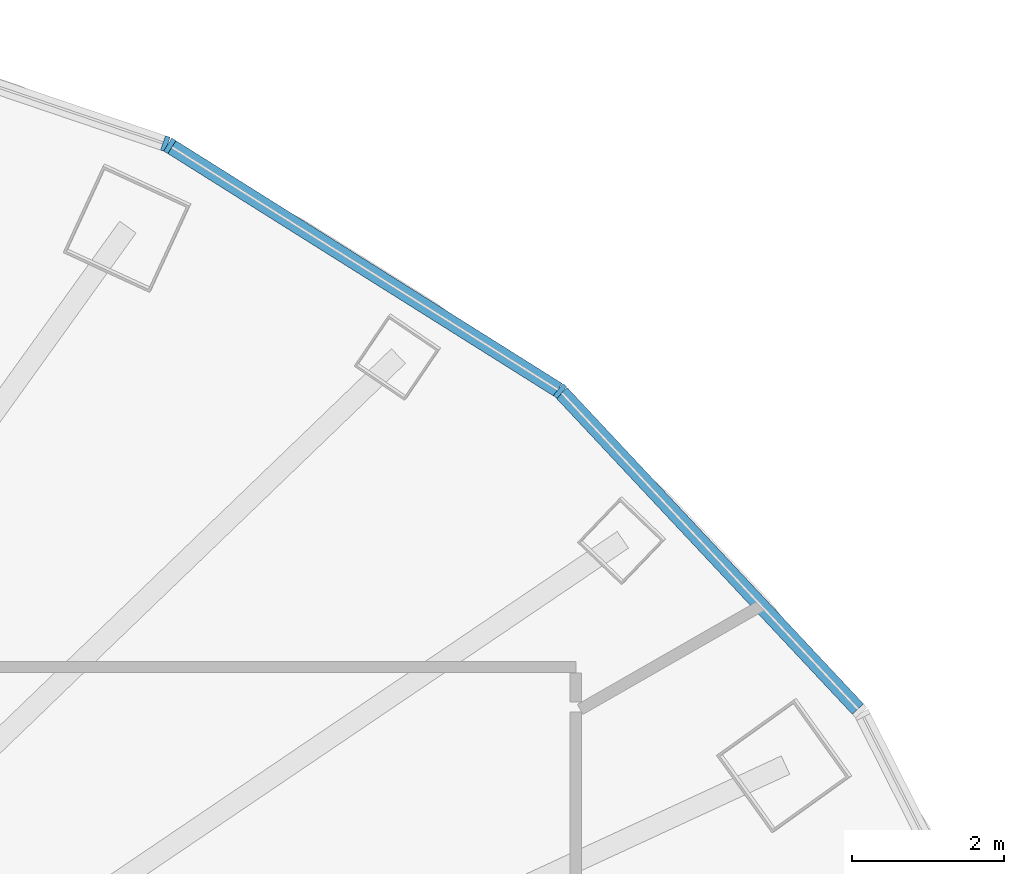
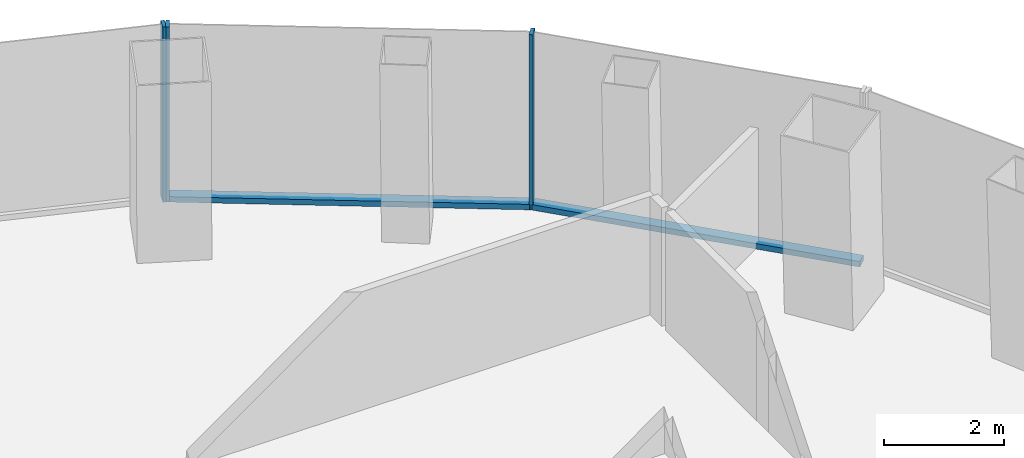
# One storey, part 6 of 12: 5 members, 2 elements without a shape of their own.
"""IFC4 building model written with IfcOpenShell, lengths in metres."""

from ifc_helpers import new_model, si_unit, direction, frame, origin, origin_2d, place, context, subcontext, project, spatial, rectangle, extrude, material, layer, layer_set, material_profile, profile_set, type_object, element, aggregate, save


model = new_model("IFC4")

# Units and contexts
model_context = context("Model", 3, precision=1e-05, world=origin(), true_north=direction((0.0, 1.0)))
body_context = subcontext(model_context, "Body", "Model", "MODEL_VIEW")
ifc_project = project(units=[si_unit("LENGTHUNIT", "METRE"), si_unit("AREAUNIT", "SQUARE_METRE"), si_unit("VOLUMEUNIT", "CUBIC_METRE"), si_unit("PLANEANGLEUNIT", "RADIAN"), si_unit("MASSUNIT", "GRAM", prefix="KILO")], contexts=[model_context])

# Site, building, storey
site_placement = place(None, origin())
site = spatial("IfcSite", under=ifc_project, at=site_placement, CompositionType="ELEMENT")
building_placement = place(site_placement, origin())
building = spatial("IfcBuilding", under=site, at=building_placement, Name="Siaravel Broadcast Tower", CompositionType="ELEMENT")
storey_placement = place(building_placement, frame((0.0, 0.0, 137.800048828125)))
storey = spatial("IfcBuildingStorey", under=building, at=storey_placement, Name="L33", CompositionType="ELEMENT", Elevation=137.800048828125)

# Curtain wall, members
ifc_material = material(Name="Aluminium 6063-T6", Category="aluminium")
ifc_layer = layer(ifc_material, 0.199951171875)
ifc_layer_set = layer_set([ifc_layer], Name="Aluminium 6063-T6")
curtain_wall_type = type_object("IfcCurtainWallType", Name="Unitised curtain wall, zone 2", PredefinedType="NOTDEFINED", material=ifc_layer_set)
curtain_wall_1_placement = place(storey_placement, origin())
curtain_wall_1 = element("IfcCurtainWall", 1, at=curtain_wall_1_placement, inside=storey, type_object=curtain_wall_type, Name="L33 Unitised curtain wall, zone 2 02", PredefinedType="NOTDEFINED")
ifc_material_profile_1 = material_profile(ifc_material, rectangle(XDim=0.199951171875, YDim=0.06494140625, at=origin_2d()))
ifc_profile_set_1 = profile_set([ifc_material_profile_1], Name="Aluminium 6063-T6")
member_type_1 = type_object("IfcMemberType", Name="CW-Z2 mullion", PredefinedType="MULLION", material=ifc_profile_set_1)
member_1_placement = place(storey_placement, frame((17.593994140625, 14.42431640625, 0.0), z_axis=(0.0, 0.0, 1.0), x_axis=(-0.63622045, -0.771507317, 0.0)))
member_1 = element("IfcMember", 2, at=member_1_placement, type_object=member_type_1, Name="CW-Z2 mullion 2", PredefinedType="MULLION", context=body_context, shape_type="SweptSolid", body=[
    extrude(rectangle(XDim=0.199951171875, YDim=0.06494140625, at=origin_2d()), origin(), (0.0, 0.0, 1.0), 3.550048828125),
])
member_2_placement = place(storey_placement, frame((12.46728515625, 17.646484375, 0.0), z_axis=(0.0, 0.0, 1.0), x_axis=(-0.532151141, -0.846649374, 0.0)))
member_2 = element("IfcMember", 3, at=member_2_placement, type_object=member_type_1, Name="CW-Z2 mullion 3", PredefinedType="MULLION", context=body_context, shape_type="SweptSolid", body=[
    extrude(rectangle(XDim=0.199951171875, YDim=0.06494140625, at=origin_2d()), origin(), (0.0, 0.0, 1.0), 3.550048828125),
])

# Curtain wall, member
curtain_wall_2_placement = place(storey_placement, origin())
curtain_wall_2 = element("IfcCurtainWall", 4, at=curtain_wall_2_placement, inside=storey, type_object=curtain_wall_type, Name="L33 Unitised curtain wall, zone 2 03", PredefinedType="NOTDEFINED")
member_3_placement = place(storey_placement, frame((12.408935546875, 17.67431640625, 0.0), z_axis=(0.0, 0.0, 1.0), x_axis=(-0.321302097, -0.946976749, 0.0)))
member_3 = element("IfcMember", 5, at=member_3_placement, type_object=member_type_1, Name="CW-Z2 mullion 1", PredefinedType="MULLION", context=body_context, shape_type="SweptSolid", body=[
    extrude(rectangle(XDim=0.199951171875, YDim=0.06494140625, at=origin_2d()), origin(), (0.0, 0.0, 1.0), 3.550048828125),
])
aggregate(curtain_wall_2, [member_3])

# Member
ifc_material_profile_2 = material_profile(ifc_material, rectangle(XDim=0.199951171875, YDim=0.110107421875, at=origin_2d()))
ifc_profile_set_2 = profile_set([ifc_material_profile_2], Name="Aluminium 6063-T6")
member_type_2 = type_object("IfcMemberType", Name="CW-Z2 transom", PredefinedType="USERDEFINED", material=ifc_profile_set_2)
member_4_placement = place(storey_placement, frame((21.505859375, 10.248291015625, 0.054931640625), z_axis=(-0.683644181, 0.72981548, 0.0), x_axis=(-0.72981548, -0.683644181, 0.0)))
member_4 = element("IfcMember", 6, at=member_4_placement, type_object=member_type_2, Name="CW-Z2 transom 1", ObjectType="TRANSOM", PredefinedType="USERDEFINED", context=body_context, shape_type="SweptSolid", body=[
    extrude(rectangle(XDim=0.199951171875, YDim=0.110107421875, at=origin_2d()), origin(), (0.0, 0.0, 1.0), 5.689697265625),
])

member_5_placement = place(storey_placement, frame((17.56640625, 14.441650390625, 0.054931640625), z_axis=(-0.84664232, 0.532162364, 0.0), x_axis=(-0.532162364, -0.84664232, 0.0)))
member_5 = element("IfcMember", 7, at=member_5_placement, type_object=member_type_2, Name="CW-Z2 transom 2", ObjectType="TRANSOM", PredefinedType="USERDEFINED", context=body_context, shape_type="SweptSolid", body=[
    extrude(rectangle(XDim=0.199951171875, YDim=0.110107421875, at=origin_2d()), origin(), (0.0, 0.0, 1.0), 5.990234375),
])

aggregate(curtain_wall_1, [member_1, member_2, member_4, member_5])

save(model, "model.ifc")
